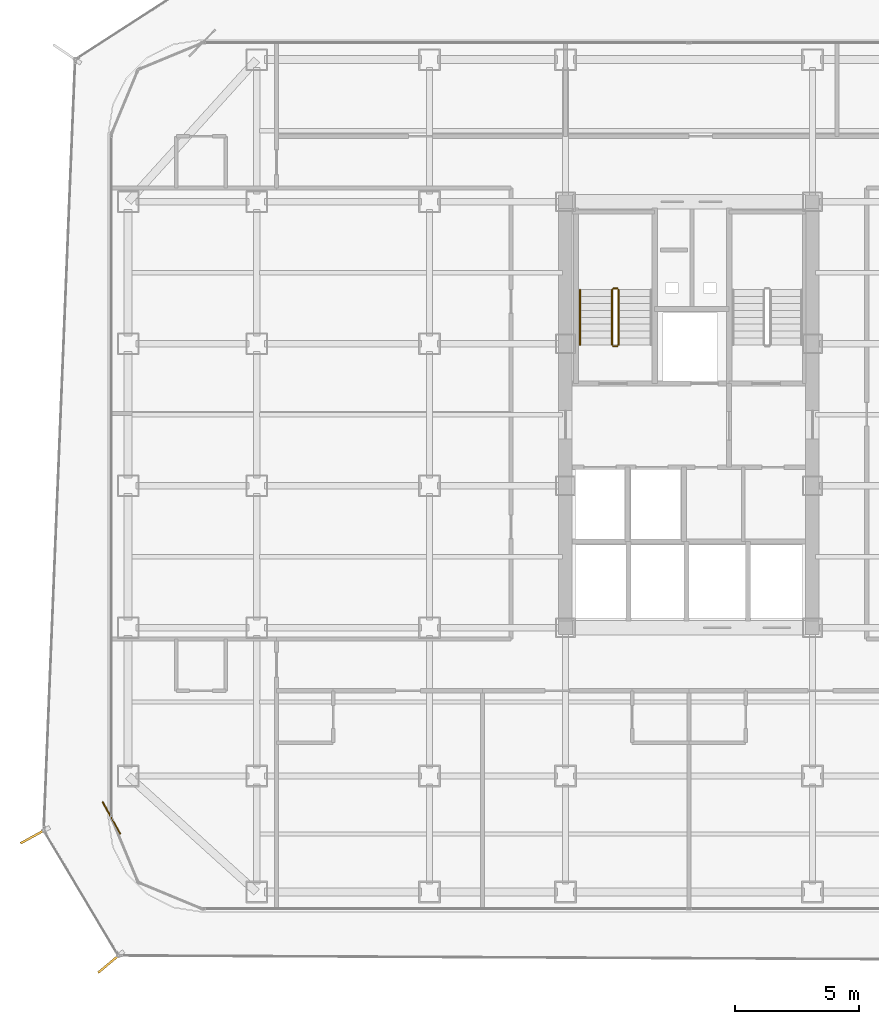
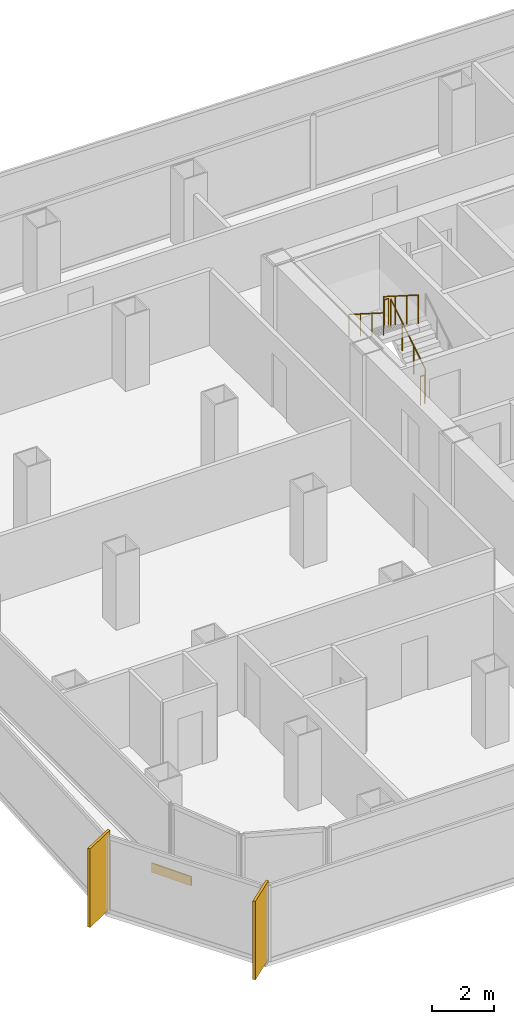
# One storey, part 19 of 21: 5 railings, 2 shading devices, 1 covering.
"""IFC4 building model written with IfcOpenShell, lengths in metres."""

from ifc_helpers import new_model, si_unit, direction, frame, origin, origin_2d, place, context, subcontext, project, spatial, rectangle, circle, extrude, source, transform, mapped, material, layer, layer_set, type_object, element, save


model = new_model("IFC4")

# Units and contexts
model_context = context("Model", 3, precision=1e-05, world=origin(), true_north=direction((0.0, 1.0)))
body_context = subcontext(model_context, "Body", "Model", "MODEL_VIEW")
ifc_project = project(units=[si_unit("LENGTHUNIT", "METRE"), si_unit("AREAUNIT", "SQUARE_METRE"), si_unit("VOLUMEUNIT", "CUBIC_METRE"), si_unit("PLANEANGLEUNIT", "RADIAN"), si_unit("MASSUNIT", "GRAM", prefix="KILO")], contexts=[model_context])

# Site, building, storey
site_placement = place(None, origin())
site = spatial("IfcSite", under=ifc_project, at=site_placement, CompositionType="ELEMENT")
building_placement = place(site_placement, origin())
building = spatial("IfcBuilding", under=site, at=building_placement, Name="Kolveth Station Tower", CompositionType="ELEMENT")
storey_placement = place(building_placement, frame((0.0, 0.0, 92.699951171875)))
storey = spatial("IfcBuildingStorey", under=building, at=storey_placement, Name="L24", CompositionType="ELEMENT", Elevation=92.699951171875)

# Railings
ifc_material_1 = material(Name="Painted Steel S355 balustrade", Category="steel")
railing_type_1 = type_object("IfcRailingType", Name="Guard_GR2", PredefinedType="BALUSTRADE", material=ifc_material_1)
railing_1_placement = place(storey_placement, frame((20.64990234375, 22.949951171875, 0.177734375)))
element("IfcRailing", 1, at=railing_1_placement, inside=storey, type_object=railing_type_1, Name="L24 ST1 stair guard 1", PredefinedType="BALUSTRADE", context=body_context, shape_type="SweptSolid", body=[
    extrude(circle(Radius=0.02392578125, at=origin_2d()), frame((0.0, 0.0, 1.1259765625), z_axis=(0.0, 0.84418770128, 0.536047689118), x_axis=(-1.0, 0.0, 0.0)), (0.0, 0.0, 1.0), 2.6533203125),
    extrude(circle(Radius=0.02099609375, at=origin_2d()), origin(), (0.0, 0.0, 1.0), 1.101806640625),
    extrude(circle(Radius=0.02099609375, at=origin_2d()), frame((0.0, 0.74658203125, 0.47412109375)), (0.0, 0.0, 1.0), 1.101806640625),
    extrude(circle(Radius=0.02099609375, at=origin_2d()), frame((0.0, 1.493408203125, 0.9482421875)), (0.0, 0.0, 1.0), 1.101806640625),
    extrude(circle(Radius=0.02099609375, at=origin_2d()), frame((0.0, 2.239990234375, 1.42236328125)), (0.0, 0.0, 1.0), 1.101806640625),
])
railing_2_placement = place(storey_placement, frame((20.60009765625, 25.239990234375, 1.60009765625)))
element("IfcRailing", 2, at=railing_2_placement, inside=storey, type_object=railing_type_1, Name="L24 ST1 stair guard 2", PredefinedType="BALUSTRADE", context=body_context, shape_type="SweptSolid", body=[
    extrude(circle(Radius=0.02392578125, at=origin_2d()), frame((0.0, 0.0, 1.1259765625), z_axis=(-1.0, 0.0, 0.0), x_axis=(0.0, -1.0, 0.0)), (0.0, 0.0, 1.0), 0.16015625),
    extrude(circle(Radius=0.02099609375, at=origin_2d()), origin(), (0.0, 0.0, 1.0), 1.101806640625),
    extrude(circle(Radius=0.02099609375, at=origin_2d()), frame((-0.16015625, 0.0, 0.0)), (0.0, 0.0, 1.0), 1.101806640625),
])
railing_3_placement = place(storey_placement, frame((20.389892578125, 25.18994140625, 1.77783203125)))
element("IfcRailing", 3, at=railing_3_placement, inside=storey, type_object=railing_type_1, Name="L24 ST1 stair guard 3", PredefinedType="BALUSTRADE", context=body_context, shape_type="SweptSolid", body=[
    extrude(circle(Radius=0.02392578125, at=origin_2d()), frame((0.0, 0.0, 1.1259765625), z_axis=(0.0, -0.8442293374, 0.53598211339), x_axis=(1.0, 0.0, 0.0)), (0.0, 0.0, 1.0), 2.6533203125),
    extrude(circle(Radius=0.02099609375, at=origin_2d()), origin(), (0.0, 0.0, 1.0), 1.101806640625),
    extrude(circle(Radius=0.02099609375, at=origin_2d()), frame((0.0, -0.74658203125, 0.47412109375)), (0.0, 0.0, 1.0), 1.101806640625),
    extrude(circle(Radius=0.02099609375, at=origin_2d()), frame((0.0, -1.493408203125, 0.947998046875)), (0.0, 0.0, 1.0), 1.101806640625),
    extrude(circle(Radius=0.02099609375, at=origin_2d()), frame((0.0, -2.239990234375, 1.422119140625)), (0.0, 0.0, 1.0), 1.101806640625),
])
railing_4_placement = place(storey_placement, frame((20.60009765625, 22.89990234375, 0.0)))
element("IfcRailing", 4, at=railing_4_placement, inside=storey, type_object=railing_type_1, Name="L24 ST1 stair guard 4", PredefinedType="BALUSTRADE", context=body_context, shape_type="SweptSolid", body=[
    extrude(circle(Radius=0.02392578125, at=origin_2d()), frame((0.0, 0.0, 1.1259765625), z_axis=(-1.0, 0.0, 0.0), x_axis=(0.0, -1.0, 0.0)), (0.0, 0.0, 1.0), 0.16015625),
    extrude(circle(Radius=0.02099609375, at=origin_2d()), origin(), (0.0, 0.0, 1.0), 1.101806640625),
    extrude(circle(Radius=0.02099609375, at=origin_2d()), frame((-0.16015625, 0.0, 0.0)), (0.0, 0.0, 1.0), 1.101806640625),
])
ifc_material_2 = material(Name="Brushed stainless steel", Category="steel")
railing_type_2 = type_object("IfcRailingType", Name="Handrail_HR1", PredefinedType="HANDRAIL", material=ifc_material_2)
railing_5_placement = place(storey_placement, frame((19.090087890625, 25.18994140625, 1.77783203125)))
element("IfcRailing", 5, at=railing_5_placement, inside=storey, type_object=railing_type_2, Name="L24 ST1 stair handrail 2", PredefinedType="HANDRAIL", context=body_context, shape_type="SweptSolid", body=[
    extrude(circle(Radius=0.02392578125, at=origin_2d()), frame((0.0, 0.0, 0.8759765625), z_axis=(0.0, -0.8442293374, 0.53598211339), x_axis=(1.0, 0.0, 0.0)), (0.0, 0.0, 1.0), 2.6533203125),
    extrude(circle(Radius=0.02099609375, at=origin_2d()), origin(), (0.0, 0.0, 1.0), 0.851806640625),
    extrude(circle(Radius=0.02099609375, at=origin_2d()), frame((0.0, -0.74658203125, 0.47412109375)), (0.0, 0.0, 1.0), 0.851806640625),
    extrude(circle(Radius=0.02099609375, at=origin_2d()), frame((0.0, -1.493408203125, 0.947998046875)), (0.0, 0.0, 1.0), 0.851806640625),
    extrude(circle(Radius=0.02099609375, at=origin_2d()), frame((0.0, -2.239990234375, 1.422119140625)), (0.0, 0.0, 1.0), 0.851806640625),
])

# Shading devices
ifc_material_3 = material(Name="Black anodized aluminium 6063-T6", Category="aluminium")
shading_device_type = type_object("IfcShadingDeviceType", Name="FIN_VF1", PredefinedType="USERDEFINED", material=ifc_material_3)
shared_shape_1 = source(origin(), body_context, "Body", "SweptSolid", [
    extrude(rectangle(XDim=1.25, YDim=0.090087890625, at=origin_2d()), origin(), (0.0, 0.0, 1.0), 3.10009765625),
])
for number, where, z_axis, x_axis, name in (
    (6, (-3.011962890625, 3.073974609375, 0.0), (0.0, 0.0, 1.0), (-0.876306680044, -0.481753674102, 0.0), "L24 Dark-Aluminium Solar Fin 7"),
    (7, (0.06201171875, -2.06103515625, 0.0), (0.0, 0.0, 1.0), (-0.7653708976, -0.643589456957, 0.0), "L24 Dark-Aluminium Solar Fin 8"),
):
    element("IfcShadingDevice", number, at=place(storey_placement, frame(where, z_axis=z_axis, x_axis=x_axis)), inside=storey, type_object=shading_device_type, Name=name, ObjectType="FIN", PredefinedType="USERDEFINED", context=body_context, shape_type="MappedRepresentation", body=[
        mapped(shared_shape_1, transform((0.0, 0.0, 0.0), x_axis=(1.0, 0.0, 0.0), y_axis=(0.0, 1.0, 0.0), z_axis=(0.0, 0.0, 1.0), scale=1.0)),
    ])

# Covering
ifc_material_4 = material(Name="Charcoal anodized aluminium spandrel cladding", Category="aluminium")
ifc_layer = layer(ifc_material_4, 0.044921875)
ifc_layer_set = layer_set([ifc_layer], Name="Charcoal anodized aluminium spandrel cladding")
covering_type = type_object("IfcCoveringType", Name="Clad_CD1", PredefinedType="CLADDING", material=ifc_layer_set)
shared_shape_2 = source(origin(), body_context, "Body", "SweptSolid", [
    extrude(rectangle(XDim=1.5, YDim=0.044921875, at=origin_2d()), origin(), (0.0, 0.0, 1.0), 0.360107421875),
])
covering_placement = place(storey_placement, frame((0.1201171875, 3.800048828125, 0.0), z_axis=(0.0, 0.0, 1.0), x_axis=(0.481753674102, -0.876306680044, 0.0)))
element("IfcCovering", 8, at=covering_placement, inside=storey, type_object=covering_type, Name="L24 Spandrel Edge Cladding 7", PredefinedType="CLADDING", context=body_context, shape_type="MappedRepresentation", body=[
    mapped(shared_shape_2, transform((0.0, 0.0, 0.0), x_axis=(1.0, 0.0, 0.0), y_axis=(0.0, 1.0, 0.0), z_axis=(0.0, 0.0, 1.0), scale=1.0)),
])

save(model, "model.ifc")
